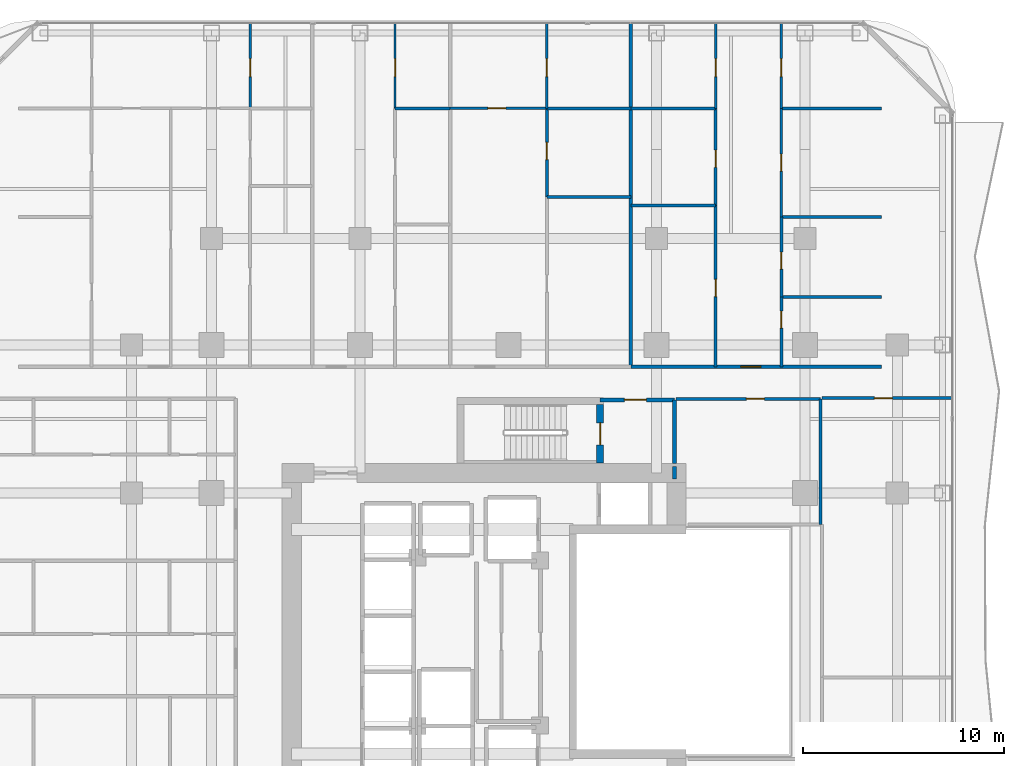
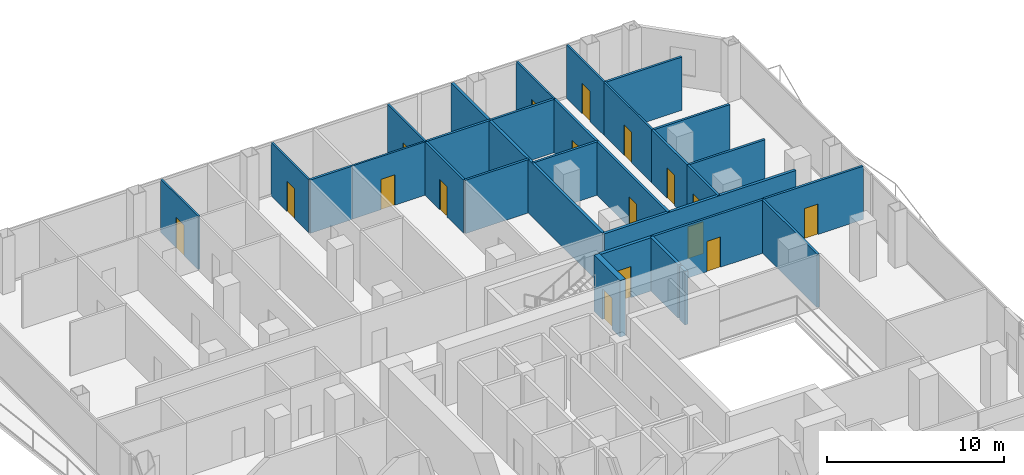
# One storey, part 23 of 29: 29 walls, 17 doors, 17 openings.
"""IFC4 building model written with IfcOpenShell, lengths in metres."""

import ifcopenshell
import ifcopenshell.guid

model = None  # the IFC model being written
_history = None  # IfcOwnerHistory: only IFC2X3 demands one
_inside = {}  # id of a spatial element -> (the spatial element, [elements in it])
_under = {}  # id of a project, library or spatial element -> (it, [spatial elements below it])
_declared = {}  # id of a project -> (the project, [libraries it declares])
_typed = {}  # id of a type object -> (the type object, [elements of that type])
_made_of = {}  # id of a material, layer set ... -> (it, [elements and type objects made of it])


def new_model(schema):
    """Start an empty IFC model of exactly this schema.

    Asked for "IFC4X3", IfcOpenShell would pick the latest addendum, in which some entities
    have other attributes; the version numbers below select the first issue.
    IFC2X3 requires an IfcOwnerHistory on every rooted entity: one is made here for all.
    """
    global model, _history
    if schema == "IFC4X3":
        model = ifcopenshell.file(schema_version=(4, 3, 0, 0))
    else:
        model = ifcopenshell.file(schema=schema)
    _inside.clear()
    _under.clear()
    _declared.clear()
    _typed.clear()
    _made_of.clear()
    _history = None
    if model.schema == "IFC2X3":
        org = make("IfcOrganization", Name="unknown")
        user = make(
            "IfcPersonAndOrganization",
            ThePerson=make("IfcPerson", FamilyName="unknown"),
            TheOrganization=org,
        )
        app = make(
            "IfcApplication",
            ApplicationDeveloper=org,
            Version="unknown",
            ApplicationFullName="unknown",
            ApplicationIdentifier="unknown",
        )
        _history = make(
            "IfcOwnerHistory",
            OwningUser=user,
            OwningApplication=app,
            ChangeAction="ADDED",
            CreationDate=0,
        )
    return model


def make(cls, **values):
    """One entity of the class cls with the attributes given. An attribute that is None is left unset."""
    return model.create_entity(
        cls, **{name: value for name, value in values.items() if value is not None}
    )


def rooted(cls, **values):
    """An entity with a GlobalId (a new one), such as an element, a storey or a relation."""
    return make(cls, GlobalId=ifcopenshell.guid.new(), OwnerHistory=_history, **values)


def si_unit(unit_type, name, prefix=None):
    """IfcSIUnit, for example si_unit("LENGTHUNIT", "METRE", prefix="MILLI")."""
    return make("IfcSIUnit", UnitType=unit_type, Prefix=prefix, Name=name)


def assignment(units):
    """IfcUnitAssignment: the units of a project."""
    return None if units is None else make("IfcUnitAssignment", Units=units)


def point(xyz):
    """IfcCartesianPoint."""
    return None if xyz is None else make("IfcCartesianPoint", Coordinates=xyz)


def direction(xyz):
    """IfcDirection."""
    return None if xyz is None else make("IfcDirection", DirectionRatios=xyz)


def frame(location, z_axis=None, x_axis=None):
    """IfcAxis2Placement3D, a coordinate frame: its origin and axes. An axis left out is left unset."""
    return make(
        "IfcAxis2Placement3D",
        Location=point(location),
        Axis=direction(z_axis),
        RefDirection=direction(x_axis),
    )


def frame_2d(location, x_axis=None):
    """IfcAxis2Placement2D, a coordinate frame in the plane: its origin and x axis."""
    return make(
        "IfcAxis2Placement2D", Location=point(location), RefDirection=direction(x_axis)
    )


def origin():
    """The frame at (0, 0, 0) with its axes left unset."""
    return frame((0.0, 0.0, 0.0))


def place(relative_to, where):
    """IfcLocalPlacement: puts the frame where relative to a parent placement (None: the world)."""
    return make(
        "IfcLocalPlacement", PlacementRelTo=relative_to, RelativePlacement=where
    )


def context(
    kind, dimensions, precision=None, world=None, true_north=None, identifier=None
):
    """IfcGeometricRepresentationContext, for example the 3D "Model" context."""
    return make(
        "IfcGeometricRepresentationContext",
        ContextIdentifier=identifier,
        ContextType=kind,
        CoordinateSpaceDimension=dimensions,
        Precision=precision,
        WorldCoordinateSystem=world,
        TrueNorth=true_north,
    )


def subcontext(parent, identifier, kind, view, scale=None):
    """IfcGeometricRepresentationSubContext, for example "Body" below "Model"."""
    return make(
        "IfcGeometricRepresentationSubContext",
        ContextIdentifier=identifier,
        ContextType=kind,
        ParentContext=parent,
        TargetScale=scale,
        TargetView=view,
    )


def project(units=None, contexts=None):
    """IfcProject with its units and contexts."""
    return rooted(
        "IfcProject",
        Name="project",
        RepresentationContexts=contexts,
        UnitsInContext=assignment(units),
    )


def spatial(cls, under=None, at=None, **own):
    """A site, building, storey or space (cls), placed at a placement, below another one or the project."""
    s = rooted(cls, ObjectPlacement=at, **own)
    if under is not None:
        _under.setdefault(under.id(), (under, []))[1].append(s)
    return s


def profile(cls, at=None, kind="AREA", **sizes):
    """A parametric profile (cls). Its sizes go by their IFC names, for example OverallWidth=200.0."""
    return make(cls, ProfileType=kind, Position=at, **sizes)


def rectangle(**sizes):
    """IfcRectangleProfileDef."""
    return profile("IfcRectangleProfileDef", **sizes)


def extrude(swept, where, along, depth):
    """IfcExtrudedAreaSolid: the profile swept, set in the frame where, extruded along a direction by depth."""
    return make(
        "IfcExtrudedAreaSolid",
        SweptArea=swept,
        Position=where,
        ExtrudedDirection=direction(along),
        Depth=depth,
    )


def shape(context_of_items, identifier, shape_type, items):
    """IfcShapeRepresentation: the items that make up one representation, for example the "Body"."""
    return make(
        "IfcShapeRepresentation",
        ContextOfItems=context_of_items,
        RepresentationIdentifier=identifier,
        RepresentationType=shape_type,
        Items=items,
    )


def material(Name=None, Category=None):
    """IfcMaterial."""
    return make("IfcMaterial", Name=Name, Category=Category)


def layer(
    of_material, thickness, ventilated=None, Name=None, Category=None, Priority=None
):
    """IfcMaterialLayer: one layer of a wall or slab, of a material (None: an air gap)."""
    return make(
        "IfcMaterialLayer",
        Material=of_material,
        LayerThickness=thickness,
        IsVentilated=ventilated,
        Name=Name,
        Category=Category,
        Priority=Priority,
    )


def layer_set(layers, Name=None):
    """IfcMaterialLayerSet."""
    return make("IfcMaterialLayerSet", MaterialLayers=layers, LayerSetName=Name)


def made_of(thing, what):
    """Note that an element or type object is made of a material, layer set ...; save() writes the relation."""
    if what is not None:
        _made_of.setdefault(what.id(), (what, []))[1].append(thing)
    return thing


def type_object(cls, material=None, **own):
    """A type object (cls), such as IfcWallType, which elements share."""
    return made_of(rooted(cls, **own), material)


def element(
    cls,
    number,
    at=None,
    inside=None,
    cuts=None,
    type_object=None,
    material=None,
    context=None,
    identifier="Body",
    shape_type=None,
    held_by="IfcProductDefinitionShape",
    body=None,
    shapes=None,
    **own,
):
    """One element of the class cls, such as IfcWall. Its Tag is "e" and its number.

    at: its placement. inside: the storey or other place that contains it. cuts: it is an
    opening in that element (IfcRelVoidsElement). A single representation is given by context,
    identifier, shape_type and body (its items); several are given by shapes. held_by: the class
    of the entity that holds the representations. save() writes the other relations.
    """
    e = rooted(cls, Tag="e%d" % number, ObjectPlacement=at, **own)
    if body is not None:
        shapes = [shape(context, identifier, shape_type, body)]
    if shapes is not None:
        e.Representation = make(held_by, Representations=shapes)
    if inside is not None:
        _inside.setdefault(inside.id(), (inside, []))[1].append(e)
    if cuts is not None:
        rooted(
            "IfcRelVoidsElement", RelatingBuildingElement=cuts, RelatedOpeningElement=e
        )
    if type_object is not None:
        _typed.setdefault(type_object.id(), (type_object, []))[1].append(e)
    return made_of(e, material)


def fill(opening, filler):
    """IfcRelFillsElement: the door or window that sits in an opening."""
    return rooted(
        "IfcRelFillsElement",
        RelatingOpeningElement=opening,
        RelatedBuildingElement=filler,
    )


def aggregate(whole, parts):
    """IfcRelAggregates: a whole, such as a stair, and the parts it consists of."""
    return rooted("IfcRelAggregates", RelatingObject=whole, RelatedObjects=parts)


def save(model, path):
    """Write the relations noted so far, then the file.

    IfcRelAggregates (storeys below a building ...), IfcRelContainedInSpatialStructure (elements
    in a storey), IfcRelDefinesByType, IfcRelAssociatesMaterial and IfcRelDeclares: one each for
    every whole, place, type object, material and project.
    """
    for whole, parts in _under.values():
        aggregate(whole, parts)
    for where, things in _inside.values():
        rooted(
            "IfcRelContainedInSpatialStructure",
            RelatedElements=things,
            RelatingStructure=where,
        )
    for kind, things in _typed.values():
        rooted("IfcRelDefinesByType", RelatedObjects=things, RelatingType=kind)
    for what, things in _made_of.values():
        rooted("IfcRelAssociatesMaterial", RelatedObjects=things, RelatingMaterial=what)
    for by, libraries in _declared.values():
        rooted("IfcRelDeclares", RelatingContext=by, RelatedDefinitions=libraries)
    model.write(path)


model = new_model("IFC4")

# Units and contexts
model_context = context("Model", 3, precision=1e-05, world=origin(), true_north=direction((0.0, 1.0)))
body_context = subcontext(model_context, "Body", "Model", "MODEL_VIEW")
ifc_project = project(units=[si_unit("LENGTHUNIT", "METRE"), si_unit("AREAUNIT", "SQUARE_METRE"), si_unit("VOLUMEUNIT", "CUBIC_METRE"), si_unit("PLANEANGLEUNIT", "RADIAN"), si_unit("MASSUNIT", "GRAM", prefix="KILO")], contexts=[model_context])

# Site, building, storey
site_placement = place(None, origin())
site = spatial("IfcSite", under=ifc_project, at=site_placement, CompositionType="ELEMENT")
building_placement = place(site_placement, origin())
building = spatial("IfcBuilding", under=site, at=building_placement, Name="Khorvyn Point Tower", CompositionType="ELEMENT")
storey_placement = place(building_placement, frame((0.0, 0.0, 85.199951171875)))
storey = spatial("IfcBuildingStorey", under=building, at=storey_placement, Name="L21", CompositionType="ELEMENT", Elevation=85.199951171875)

# Wall, opening, door
ifc_material_1 = material(Name="Double acoustic gypsum on twin steel stud", Category="steel")
ifc_layer_1 = layer(ifc_material_1, 0.179931640625)
ifc_layer_set_1 = layer_set([ifc_layer_1], Name="Acoustic Double-Stud Apartment Demising Wall 180")
wall_type_1 = type_object("IfcWallType", Name="Acoustic Double-Stud Apartment Demising Wall 180", PredefinedType="PARTITIONING", material=ifc_layer_set_1)
wall_1_placement = place(storey_placement, frame((6.116943359375, 13.699951171875, 0.0), z_axis=(0.0, 0.0, 1.0), x_axis=(1.0, 0.0, 0.0)))
wall_1 = element("IfcWall", 1, at=wall_1_placement, inside=storey, type_object=wall_type_1, Name="Wall", PredefinedType="PARTITIONING", context=body_context, shape_type="SweptSolid", body=[
    extrude(rectangle(XDim=12.503173828125, YDim=0.179931640625, at=frame_2d((6.25146484375, 0.0))), origin(), (0.0, 0.0, 1.0), 3.679931640625),
])
opening_1_placement = place(wall_1_placement, frame((5.485107421875, 0.0, 0.0)))
opening_1 = element("IfcOpeningElement", 2, at=opening_1_placement, cuts=wall_1, Name="Opening ID-AP60", PredefinedType="OPENING", context=body_context, shape_type="SweptSolid", body=[
    extrude(rectangle(XDim=1.0, YDim=2.199951171875, at=frame_2d((0.5, 1.10009765625))), frame((0.0, 0.099853515625, 0.0), z_axis=(0.0, -1.0, 0.0), x_axis=(1.0, 0.0, 0.0)), (0.0, 0.0, 1.0), 0.199951171875),
])
ifc_material_2 = material(Name="Engineered hardwood fire-rated leaf", Category="wood")
door_type_1 = type_object("IfcDoorType", Name="Acoustic Solid-Core Timber Apartment Entrance Door 1000x2200", OperationType="NOTDEFINED", PredefinedType="DOOR", material=ifc_material_2)
door_1_placement = place(opening_1_placement, origin())
door_1 = element("IfcDoor", 3, at=door_1_placement, inside=storey, type_object=door_type_1, Name="Door", OperationType="SINGLE_SWING_RIGHT", OverallHeight=2.199951171875, OverallWidth=1.0, PredefinedType="DOOR", context=body_context, shape_type="SweptSolid", body=[
    extrude(rectangle(XDim=1.0, YDim=2.199951171875, at=frame_2d((0.5, 1.10009765625))), frame((0.0, 0.02490234375, 0.0), z_axis=(0.0, -1.0, 0.0), x_axis=(1.0, 0.0, 0.0)), (0.0, 0.0, 1.0), 0.050048828125),
])
fill(opening_1, door_1)

# Wall
wall_2_placement = place(storey_placement, frame((6.116943359375, 13.699951171875, 0.0), z_axis=(0.0, 0.0, 1.0), x_axis=(0.0, 1.0, 0.0)))
element("IfcWall", 4, at=wall_2_placement, inside=storey, type_object=wall_type_1, Name="Wall", PredefinedType="PARTITIONING", context=body_context, shape_type="SweptSolid", body=[
    extrude(rectangle(XDim=17.130126953125, YDim=0.179931640625, at=frame_2d((8.56494140625, 0.0))), origin(), (0.0, 0.0, 1.0), 3.679931640625),
])

# Wall, opening, door
ifc_material_3 = material(Name="Concrete C40/50", Category="concrete")
ifc_layer_2 = layer(ifc_material_3, 0.199951171875)
ifc_layer_set_2 = layer_set([ifc_layer_2], Name="Concrete C40/50 Fire-Lobby Compartment Wall 200")
wall_type_2 = type_object("IfcWallType", Name="Concrete C40/50 Fire-Lobby Compartment Wall 200", PredefinedType="SOLIDWALL", material=ifc_layer_set_2)
wall_3_placement = place(storey_placement, frame((4.580078125, 12.06005859375, 0.0), z_axis=(0.0, 0.0, 1.0), x_axis=(1.0, 0.0, 0.0)))
wall_3 = element("IfcWall", 5, at=wall_3_placement, inside=storey, type_object=wall_type_2, Name="Wall", PredefinedType="SOLIDWALL", context=body_context, shape_type="SweptSolid", body=[
    extrude(rectangle(XDim=3.699951171875, YDim=0.199951171875, at=frame_2d((1.85009765625, 0.0))), origin(), (0.0, 0.0, 1.0), 3.679931640625),
])
opening_2_placement = place(wall_3_placement, frame((1.21240234375, 0.0, 0.0)))
opening_2 = element("IfcOpeningElement", 6, at=opening_2_placement, cuts=wall_3, Name="Opening ID-FL90", PredefinedType="OPENING", context=body_context, shape_type="SweptSolid", body=[
    extrude(rectangle(XDim=1.10009765625, YDim=2.14990234375, at=frame_2d((0.550048828125, 1.074951171875))), frame((0.0, 0.10986328125, 0.0), z_axis=(0.0, -1.0, 0.0), x_axis=(1.0, 0.0, 0.0)), (0.0, 0.0, 1.0), 0.219970703125),
])
ifc_material_4 = material(Name="Galvanised powder-coated steel", Category="steel")
door_type_2 = type_object("IfcDoorType", Name="Fire-Rated Steel Lobby and Stair Door 1100x2150", OperationType="NOTDEFINED", PredefinedType="DOOR", material=ifc_material_4)
door_2_placement = place(opening_2_placement, origin())
door_2 = element("IfcDoor", 7, at=door_2_placement, inside=storey, type_object=door_type_2, Name="Door", OperationType="SINGLE_SWING_RIGHT", OverallHeight=2.14990234375, OverallWidth=1.10009765625, PredefinedType="DOOR", context=body_context, shape_type="SweptSolid", body=[
    extrude(rectangle(XDim=1.10009765625, YDim=2.14990234375, at=frame_2d((0.550048828125, 1.074951171875))), frame((0.0, 0.02490234375, 0.0), z_axis=(0.0, -1.0, 0.0), x_axis=(1.0, 0.0, 0.0)), (0.0, 0.0, 1.0), 0.050048828125),
])
fill(opening_2, door_2)

# Walls
wall_4_placement = place(storey_placement, frame((8.280029296875, 8.875, 0.0), z_axis=(0.0, 0.0, 1.0), x_axis=(0.0, 1.0, 0.0)))
element("IfcWall", 8, at=wall_4_placement, inside=storey, type_object=wall_type_2, Name="Wall", PredefinedType="SOLIDWALL", context=body_context, shape_type="SweptSolid", body=[
    extrude(rectangle(XDim=3.18505859375, YDim=0.199951171875, at=frame_2d((1.592529296875, 0.0))), origin(), (0.0, 0.0, 1.0), 3.679931640625),
])
wall_5_placement = place(storey_placement, frame((8.280029296875, 8.10009765625, 0.0), z_axis=(0.0, 0.0, 1.0), x_axis=(0.0, 1.0, 0.0)))
element("IfcWall", 9, at=wall_5_placement, inside=storey, type_object=wall_type_2, Name="Wall", PredefinedType="SOLIDWALL", context=body_context, shape_type="SweptSolid", body=[
    extrude(rectangle(XDim=0.625, YDim=0.199951171875, at=frame_2d((0.3125, 0.0))), origin(), (0.0, 0.0, 1.0), 3.679931640625),
])

# Wall, opening, door
ifc_layer_3 = layer(ifc_material_3, 0.35009765625)
ifc_layer_set_3 = layer_set([ifc_layer_3], Name="Concrete C40/50 Stair Shaft Structural Wall 350")
wall_type_3 = type_object("IfcWallType", Name="Concrete C40/50 Stair Shaft Structural Wall 350", PredefinedType="SHEAR", material=ifc_layer_set_3)
wall_6_placement = place(storey_placement, frame((4.580078125, 11.824951171875, 0.0), z_axis=(0.0, 0.0, 1.0), x_axis=(0.0, -1.0, 0.0)))
wall_6 = element("IfcWall", 10, at=wall_6_placement, inside=storey, type_object=wall_type_3, Name="L21 ST-02 East Landing Door Wall", PredefinedType="SHEAR", context=body_context, shape_type="SweptSolid", body=[
    extrude(rectangle(XDim=2.925048828125, YDim=0.35009765625, at=frame_2d((1.46240234375, 0.0))), origin(), (0.0, 0.0, 1.0), 3.900146484375),
])
opening_3_placement = place(wall_6_placement, frame((0.91259765625, 0.0, 0.0)))
opening_3 = element("IfcOpeningElement", 11, at=opening_3_placement, cuts=wall_6, Name="Opening ID-FL90", PredefinedType="OPENING", context=body_context, shape_type="SweptSolid", body=[
    extrude(rectangle(XDim=1.10009765625, YDim=2.14990234375, at=frame_2d((0.550048828125, 1.074951171875))), frame((0.0, 0.18505859375, 0.0), z_axis=(0.0, -1.0, 0.0), x_axis=(1.0, 0.0, 0.0)), (0.0, 0.0, 1.0), 0.3701171875),
])
door_3_placement = place(opening_3_placement, origin())
door_3 = element("IfcDoor", 12, at=door_3_placement, inside=storey, type_object=door_type_2, Name="L21 ST-02 Smokeproof Landing Door", OperationType="SINGLE_SWING_RIGHT", OverallHeight=2.14990234375, OverallWidth=1.10009765625, PredefinedType="DOOR", context=body_context, shape_type="SweptSolid", body=[
    extrude(rectangle(XDim=1.10009765625, YDim=2.14990234375, at=frame_2d((0.550048828125, 1.074951171875))), frame((0.0, 0.02490234375, 0.0), z_axis=(0.0, -1.0, 0.0), x_axis=(1.0, 0.0, 0.0)), (0.0, 0.0, 1.0), 0.050048828125),
])
fill(opening_3, door_3)

ifc_material_5 = material(Name="Gypsum plasterboard on steel stud", Category="steel")
ifc_layer_4 = layer(ifc_material_5, 0.1201171875)
ifc_layer_set_4 = layer_set([ifc_layer_4], Name="Gypsum Acoustic Stud Room Partition Wall 120")
wall_type_4 = type_object("IfcWallType", Name="Gypsum Acoustic Stud Room Partition Wall 120", PredefinedType="PARTITIONING", material=ifc_layer_set_4)
wall_7_placement = place(storey_placement, frame((-12.873046875, 26.590087890625, 0.0), z_axis=(0.0, 0.0, 1.0), x_axis=(0.0, 1.0, 0.0)))
wall_7 = element("IfcWall", 13, at=wall_7_placement, inside=storey, type_object=wall_type_4, Name="Wall", PredefinedType="PARTITIONING", context=body_context, shape_type="SweptSolid", body=[
    extrude(rectangle(XDim=4.239990234375, YDim=0.1201171875, at=frame_2d((2.1201171875, 0.0))), origin(), (0.0, 0.0, 1.0), 3.679931640625),
])
opening_4_placement = place(wall_7_placement, frame((1.581298828125, 0.0, 0.0)))
opening_4 = element("IfcOpeningElement", 14, at=opening_4_placement, cuts=wall_7, Name="Opening ID-RM90", PredefinedType="OPENING", context=body_context, shape_type="SweptSolid", body=[
    extrude(rectangle(XDim=0.89990234375, YDim=2.10009765625, at=frame_2d((0.449951171875, 1.050048828125))), frame((0.0, 0.070068359375, 0.0), z_axis=(0.0, -1.0, 0.0), x_axis=(1.0, 0.0, 0.0)), (0.0, 0.0, 1.0), 0.14013671875),
])
ifc_material_6 = material(Name="Engineered oak veneer timber", Category="wood")
door_type_3 = type_object("IfcDoorType", Name="Flush Engineered Timber Room Door 900x2100", OperationType="NOTDEFINED", PredefinedType="DOOR", material=ifc_material_6)
door_4_placement = place(opening_4_placement, origin())
door_4 = element("IfcDoor", 15, at=door_4_placement, inside=storey, type_object=door_type_3, Name="Door", OperationType="SINGLE_SWING_RIGHT", OverallHeight=2.10009765625, OverallWidth=0.89990234375, PredefinedType="DOOR", context=body_context, shape_type="SweptSolid", body=[
    extrude(rectangle(XDim=0.89990234375, YDim=2.10009765625, at=frame_2d((0.449951171875, 1.050048828125))), frame((0.0, 0.02490234375, 0.0), z_axis=(0.0, -1.0, 0.0), x_axis=(1.0, 0.0, 0.0)), (0.0, 0.0, 1.0), 0.050048828125),
])
fill(opening_4, door_4)

wall_8_placement = place(storey_placement, frame((-5.64990234375, 26.590087890625, 0.0), z_axis=(0.0, 0.0, 1.0), x_axis=(0.0, 1.0, 0.0)))
wall_8 = element("IfcWall", 16, at=wall_8_placement, inside=storey, type_object=wall_type_4, Name="Wall", PredefinedType="PARTITIONING", context=body_context, shape_type="SweptSolid", body=[
    extrude(rectangle(XDim=4.239990234375, YDim=0.1201171875, at=frame_2d((2.1201171875, 0.0))), origin(), (0.0, 0.0, 1.0), 3.679931640625),
])
opening_5_placement = place(wall_8_placement, frame((1.581298828125, 0.0, 0.0)))
opening_5 = element("IfcOpeningElement", 17, at=opening_5_placement, cuts=wall_8, Name="Opening ID-RM90", PredefinedType="OPENING", context=body_context, shape_type="SweptSolid", body=[
    extrude(rectangle(XDim=0.89990234375, YDim=2.10009765625, at=frame_2d((0.449951171875, 1.050048828125))), frame((0.0, 0.070068359375, 0.0), z_axis=(0.0, -1.0, 0.0), x_axis=(1.0, 0.0, 0.0)), (0.0, 0.0, 1.0), 0.14013671875),
])
door_5_placement = place(opening_5_placement, origin())
door_5 = element("IfcDoor", 18, at=door_5_placement, inside=storey, type_object=door_type_3, Name="Door", OperationType="SINGLE_SWING_RIGHT", OverallHeight=2.10009765625, OverallWidth=0.89990234375, PredefinedType="DOOR", context=body_context, shape_type="SweptSolid", body=[
    extrude(rectangle(XDim=0.89990234375, YDim=2.10009765625, at=frame_2d((0.449951171875, 1.050048828125))), frame((0.0, 0.02490234375, 0.0), z_axis=(0.0, -1.0, 0.0), x_axis=(1.0, 0.0, 0.0)), (0.0, 0.0, 1.0), 0.050048828125),
])
fill(opening_5, door_5)

wall_9_placement = place(storey_placement, frame((-2.89990234375, 26.590087890625, 0.0), z_axis=(0.0, 0.0, 1.0), x_axis=(1.0, 0.0, 0.0)))
wall_9 = element("IfcWall", 19, at=wall_9_placement, inside=storey, type_object=wall_type_4, Name="Wall", PredefinedType="PARTITIONING", context=body_context, shape_type="SweptSolid", body=[
    extrude(rectangle(XDim=4.827880859375, YDim=0.1201171875, at=frame_2d((2.4140625, 0.0))), origin(), (0.0, 0.0, 1.0), 3.679931640625),
])
opening_6_placement = place(wall_9_placement, frame((1.878173828125, 0.0, 0.0)))
opening_6 = element("IfcOpeningElement", 20, at=opening_6_placement, cuts=wall_9, Name="Opening ID-RM90", PredefinedType="OPENING", context=body_context, shape_type="SweptSolid", body=[
    extrude(rectangle(XDim=0.89990234375, YDim=2.10009765625, at=frame_2d((0.449951171875, 1.050048828125))), frame((0.0, 0.070068359375, 0.0), z_axis=(0.0, -1.0, 0.0), x_axis=(1.0, 0.0, 0.0)), (0.0, 0.0, 1.0), 0.14013671875),
])
door_6_placement = place(opening_6_placement, origin())
door_6 = element("IfcDoor", 21, at=door_6_placement, inside=storey, type_object=door_type_3, Name="Door", OperationType="SINGLE_SWING_RIGHT", OverallHeight=2.10009765625, OverallWidth=0.89990234375, PredefinedType="DOOR", context=body_context, shape_type="SweptSolid", body=[
    extrude(rectangle(XDim=0.89990234375, YDim=2.10009765625, at=frame_2d((0.449951171875, 1.050048828125))), frame((0.0, 0.02490234375, 0.0), z_axis=(0.0, -1.0, 0.0), x_axis=(1.0, 0.0, 0.0)), (0.0, 0.0, 1.0), 0.050048828125),
])
fill(opening_6, door_6)

wall_10_placement = place(storey_placement, frame((1.927978515625, 26.590087890625, 0.0), z_axis=(0.0, 0.0, 1.0), x_axis=(0.0, 1.0, 0.0)))
wall_10 = element("IfcWall", 22, at=wall_10_placement, inside=storey, type_object=wall_type_4, Name="Wall", PredefinedType="PARTITIONING", context=body_context, shape_type="SweptSolid", body=[
    extrude(rectangle(XDim=4.239990234375, YDim=0.1201171875, at=frame_2d((2.1201171875, 0.0))), origin(), (0.0, 0.0, 1.0), 3.679931640625),
])
opening_7_placement = place(wall_10_placement, frame((1.581298828125, 0.0, 0.0)))
opening_7 = element("IfcOpeningElement", 23, at=opening_7_placement, cuts=wall_10, Name="Opening ID-RM90", PredefinedType="OPENING", context=body_context, shape_type="SweptSolid", body=[
    extrude(rectangle(XDim=0.89990234375, YDim=2.10009765625, at=frame_2d((0.449951171875, 1.050048828125))), frame((0.0, 0.070068359375, 0.0), z_axis=(0.0, -1.0, 0.0), x_axis=(1.0, 0.0, 0.0)), (0.0, 0.0, 1.0), 0.14013671875),
])
door_7_placement = place(opening_7_placement, origin())
door_7 = element("IfcDoor", 24, at=door_7_placement, inside=storey, type_object=door_type_3, Name="Door", OperationType="SINGLE_SWING_LEFT", OverallHeight=2.10009765625, OverallWidth=0.89990234375, PredefinedType="DOOR", context=body_context, shape_type="SweptSolid", body=[
    extrude(rectangle(XDim=0.89990234375, YDim=2.10009765625, at=frame_2d((0.449951171875, 1.050048828125))), frame((0.0, 0.02490234375, 0.0), z_axis=(0.0, -1.0, 0.0), x_axis=(1.0, 0.0, 0.0)), (0.0, 0.0, 1.0), 0.050048828125),
])
fill(opening_7, door_7)

wall_11_placement = place(storey_placement, frame((10.343017578125, 26.590087890625, 0.0), z_axis=(0.0, 0.0, 1.0), x_axis=(0.0, 1.0, 0.0)))
wall_11 = element("IfcWall", 25, at=wall_11_placement, inside=storey, type_object=wall_type_4, Name="Wall", PredefinedType="PARTITIONING", context=body_context, shape_type="SweptSolid", body=[
    extrude(rectangle(XDim=4.239990234375, YDim=0.1201171875, at=frame_2d((2.1201171875, 0.0))), origin(), (0.0, 0.0, 1.0), 3.679931640625),
])
opening_8_placement = place(wall_11_placement, frame((1.581298828125, 0.0, 0.0)))
opening_8 = element("IfcOpeningElement", 26, at=opening_8_placement, cuts=wall_11, Name="Opening ID-RM90", PredefinedType="OPENING", context=body_context, shape_type="SweptSolid", body=[
    extrude(rectangle(XDim=0.89990234375, YDim=2.10009765625, at=frame_2d((0.449951171875, 1.050048828125))), frame((0.0, 0.070068359375, 0.0), z_axis=(0.0, -1.0, 0.0), x_axis=(1.0, 0.0, 0.0)), (0.0, 0.0, 1.0), 0.14013671875),
])
door_8_placement = place(opening_8_placement, origin())
door_8 = element("IfcDoor", 27, at=door_8_placement, inside=storey, type_object=door_type_3, Name="Door", OperationType="SINGLE_SWING_LEFT", OverallHeight=2.10009765625, OverallWidth=0.89990234375, PredefinedType="DOOR", context=body_context, shape_type="SweptSolid", body=[
    extrude(rectangle(XDim=0.89990234375, YDim=2.10009765625, at=frame_2d((0.449951171875, 1.050048828125))), frame((0.0, 0.02490234375, 0.0), z_axis=(0.0, -1.0, 0.0), x_axis=(1.0, 0.0, 0.0)), (0.0, 0.0, 1.0), 0.050048828125),
])
fill(opening_8, door_8)

wall_12_placement = place(storey_placement, frame((13.618896484375, 21.176025390625, 0.0), z_axis=(0.0, 0.0, 1.0), x_axis=(0.0, 1.0, 0.0)))
wall_12 = element("IfcWall", 28, at=wall_12_placement, inside=storey, type_object=wall_type_4, Name="Wall", PredefinedType="PARTITIONING", context=body_context, shape_type="SweptSolid", body=[
    extrude(rectangle(XDim=5.4140625, YDim=0.1201171875, at=frame_2d((2.70703125, 0.0))), origin(), (0.0, 0.0, 1.0), 3.679931640625),
])
opening_9_placement = place(wall_12_placement, frame((2.281982421875, 0.0, 0.0)))
opening_9 = element("IfcOpeningElement", 29, at=opening_9_placement, cuts=wall_12, Name="Opening ID-WC85", PredefinedType="OPENING", context=body_context, shape_type="SweptSolid", body=[
    extrude(rectangle(XDim=0.85009765625, YDim=2.10009765625, at=frame_2d((0.425048828125, 1.050048828125))), frame((0.0, 0.070068359375, 0.0), z_axis=(0.0, -1.0, 0.0), x_axis=(1.0, 0.0, 0.0)), (0.0, 0.0, 1.0), 0.14013671875),
])
ifc_material_7 = material(Name="High-pressure laminate on moisture-resistant core", Category="wood")
door_type_4 = type_object("IfcDoorType", Name="Moisture-Resistant Accessible Washroom Door 850x2100", OperationType="NOTDEFINED", PredefinedType="DOOR", material=ifc_material_7)
door_9_placement = place(opening_9_placement, origin())
door_9 = element("IfcDoor", 30, at=door_9_placement, inside=storey, type_object=door_type_4, Name="Door", OperationType="SINGLE_SWING_RIGHT", OverallHeight=2.10009765625, OverallWidth=0.85009765625, PredefinedType="DOOR", context=body_context, shape_type="SweptSolid", body=[
    extrude(rectangle(XDim=0.85009765625, YDim=2.10009765625, at=frame_2d((0.425048828125, 1.050048828125))), frame((0.0, 0.02490234375, 0.0), z_axis=(0.0, -1.0, 0.0), x_axis=(1.0, 0.0, 0.0)), (0.0, 0.0, 1.0), 0.050048828125),
])
fill(opening_9, door_9)

wall_13_placement = place(storey_placement, frame((13.618896484375, 26.590087890625, 0.0), z_axis=(0.0, 0.0, 1.0), x_axis=(0.0, 1.0, 0.0)))
wall_13 = element("IfcWall", 31, at=wall_13_placement, inside=storey, type_object=wall_type_4, Name="Wall", PredefinedType="PARTITIONING", context=body_context, shape_type="SweptSolid", body=[
    extrude(rectangle(XDim=4.239990234375, YDim=0.1201171875, at=frame_2d((2.1201171875, 0.0))), origin(), (0.0, 0.0, 1.0), 3.679931640625),
])
opening_10_placement = place(wall_13_placement, frame((1.581298828125, 0.0, 0.0)))
opening_10 = element("IfcOpeningElement", 32, at=opening_10_placement, cuts=wall_13, Name="Opening ID-RM90", PredefinedType="OPENING", context=body_context, shape_type="SweptSolid", body=[
    extrude(rectangle(XDim=0.89990234375, YDim=2.10009765625, at=frame_2d((0.449951171875, 1.050048828125))), frame((0.0, 0.070068359375, 0.0), z_axis=(0.0, -1.0, 0.0), x_axis=(1.0, 0.0, 0.0)), (0.0, 0.0, 1.0), 0.14013671875),
])
door_10_placement = place(opening_10_placement, origin())
door_10 = element("IfcDoor", 33, at=door_10_placement, inside=storey, type_object=door_type_3, Name="Door", OperationType="SINGLE_SWING_LEFT", OverallHeight=2.10009765625, OverallWidth=0.89990234375, PredefinedType="DOOR", context=body_context, shape_type="SweptSolid", body=[
    extrude(rectangle(XDim=0.89990234375, YDim=2.10009765625, at=frame_2d((0.449951171875, 1.050048828125))), frame((0.0, 0.02490234375, 0.0), z_axis=(0.0, -1.0, 0.0), x_axis=(1.0, 0.0, 0.0)), (0.0, 0.0, 1.0), 0.050048828125),
])
fill(opening_10, door_10)

ifc_material_8 = material(Name="Moisture-resistant gypsum and cement board", Category="gypsum")
ifc_layer_5 = layer(ifc_material_8, 0.14990234375)
ifc_layer_set_5 = layer_set([ifc_layer_5], Name="Moisture-Resistant Wet-Room Partition Wall 150")
wall_type_5 = type_object("IfcWallType", Name="Moisture-Resistant Wet-Room Partition Wall 150", PredefinedType="PARTITIONING", material=ifc_layer_set_5)
wall_14_placement = place(storey_placement, frame((8.360107421875, 12.10009765625, 0.0), z_axis=(0.0, 0.0, 1.0), x_axis=(1.0, 0.0, 0.0)))
wall_14 = element("IfcWall", 34, at=wall_14_placement, inside=storey, type_object=wall_type_5, Name="Wall", PredefinedType="PARTITIONING", context=body_context, shape_type="SweptSolid", body=[
    extrude(rectangle(XDim=7.219970703125, YDim=0.14990234375, at=frame_2d((3.60986328125, 0.0))), origin(), (0.0, 0.0, 1.0), 3.679931640625),
])
opening_11_placement = place(wall_14_placement, frame((3.512939453125, 0.0, 0.0)))
opening_11 = element("IfcOpeningElement", 35, at=opening_11_placement, cuts=wall_14, Name="Opening ID-RM90", PredefinedType="OPENING", context=body_context, shape_type="SweptSolid", body=[
    extrude(rectangle(XDim=0.89990234375, YDim=2.10009765625, at=frame_2d((0.449951171875, 1.050048828125))), frame((0.0, 0.0849609375, 0.0), z_axis=(0.0, -1.0, 0.0), x_axis=(1.0, 0.0, 0.0)), (0.0, 0.0, 1.0), 0.169921875),
])
door_11_placement = place(opening_11_placement, origin())
door_11 = element("IfcDoor", 36, at=door_11_placement, inside=storey, type_object=door_type_3, Name="Door", OperationType="SINGLE_SWING_RIGHT", OverallHeight=2.10009765625, OverallWidth=0.89990234375, PredefinedType="DOOR", context=body_context, shape_type="SweptSolid", body=[
    extrude(rectangle(XDim=0.89990234375, YDim=2.10009765625, at=frame_2d((0.449951171875, 1.050048828125))), frame((0.0, 0.02490234375, 0.0), z_axis=(0.0, -1.0, 0.0), x_axis=(1.0, 0.0, 0.0)), (0.0, 0.0, 1.0), 0.050048828125),
])
fill(opening_11, door_11)

wall_15_placement = place(storey_placement, frame((1.927978515625, 22.174072265625, 0.0), z_axis=(0.0, 0.0, 1.0), x_axis=(0.0, 1.0, 0.0)))
wall_15 = element("IfcWall", 37, at=wall_15_placement, inside=storey, type_object=wall_type_5, Name="Wall", PredefinedType="PARTITIONING", context=body_context, shape_type="SweptSolid", body=[
    extrude(rectangle(XDim=4.416015625, YDim=0.14990234375, at=frame_2d((2.2080078125, 0.0))), origin(), (0.0, 0.0, 1.0), 3.679931640625),
])
opening_12_placement = place(wall_15_placement, frame((1.868408203125, 0.0, 0.0)))
opening_12 = element("IfcOpeningElement", 38, at=opening_12_placement, cuts=wall_15, Name="Opening ID-WC85", PredefinedType="OPENING", context=body_context, shape_type="SweptSolid", body=[
    extrude(rectangle(XDim=0.85009765625, YDim=2.10009765625, at=frame_2d((0.425048828125, 1.050048828125))), frame((0.0, 0.0849609375, 0.0), z_axis=(0.0, -1.0, 0.0), x_axis=(1.0, 0.0, 0.0)), (0.0, 0.0, 1.0), 0.169921875),
])
door_12_placement = place(opening_12_placement, origin())
door_12 = element("IfcDoor", 39, at=door_12_placement, inside=storey, type_object=door_type_4, Name="Door", OperationType="SINGLE_SWING_RIGHT", OverallHeight=2.10009765625, OverallWidth=0.85009765625, PredefinedType="DOOR", context=body_context, shape_type="SweptSolid", body=[
    extrude(rectangle(XDim=0.85009765625, YDim=2.10009765625, at=frame_2d((0.425048828125, 1.050048828125))), frame((0.0, 0.02490234375, 0.0), z_axis=(0.0, -1.0, 0.0), x_axis=(1.0, 0.0, 0.0)), (0.0, 0.0, 1.0), 0.050048828125),
])
fill(opening_12, door_12)

wall_16_placement = place(storey_placement, frame((10.343017578125, 13.699951171875, 0.0), z_axis=(0.0, 0.0, 1.0), x_axis=(0.0, 1.0, 0.0)))
wall_16 = element("IfcWall", 40, at=wall_16_placement, inside=storey, type_object=wall_type_5, Name="Wall", PredefinedType="PARTITIONING", context=body_context, shape_type="SweptSolid", body=[
    extrude(rectangle(XDim=8.045166015625, YDim=0.14990234375, at=frame_2d((4.0224609375, 0.0))), origin(), (0.0, 0.0, 1.0), 3.679931640625),
])
opening_13_placement = place(wall_16_placement, frame((3.509521484375, 0.0, 0.0)))
opening_13 = element("IfcOpeningElement", 41, at=opening_13_placement, cuts=wall_16, Name="Opening ID-WC85", PredefinedType="OPENING", context=body_context, shape_type="SweptSolid", body=[
    extrude(rectangle(XDim=0.85009765625, YDim=2.10009765625, at=frame_2d((0.425048828125, 1.050048828125))), frame((0.0, 0.0849609375, 0.0), z_axis=(0.0, -1.0, 0.0), x_axis=(1.0, 0.0, 0.0)), (0.0, 0.0, 1.0), 0.169921875),
])
door_13_placement = place(opening_13_placement, origin())
door_13 = element("IfcDoor", 42, at=door_13_placement, inside=storey, type_object=door_type_4, Name="Door", OperationType="SINGLE_SWING_LEFT", OverallHeight=2.10009765625, OverallWidth=0.85009765625, PredefinedType="DOOR", context=body_context, shape_type="SweptSolid", body=[
    extrude(rectangle(XDim=0.85009765625, YDim=2.10009765625, at=frame_2d((0.425048828125, 1.050048828125))), frame((0.0, 0.02490234375, 0.0), z_axis=(0.0, -1.0, 0.0), x_axis=(1.0, 0.0, 0.0)), (0.0, 0.0, 1.0), 0.050048828125),
])
fill(opening_13, door_13)

wall_17_placement = place(storey_placement, frame((10.343017578125, 21.7451171875, 0.0), z_axis=(0.0, 0.0, 1.0), x_axis=(0.0, 1.0, 0.0)))
wall_17 = element("IfcWall", 43, at=wall_17_placement, inside=storey, type_object=wall_type_5, Name="Wall", PredefinedType="PARTITIONING", context=body_context, shape_type="SweptSolid", body=[
    extrude(rectangle(XDim=4.844970703125, YDim=0.14990234375, at=frame_2d((2.42236328125, 0.0))), origin(), (0.0, 0.0, 1.0), 3.679931640625),
])
opening_14_placement = place(wall_17_placement, frame((1.909912109375, 0.0, 0.0)))
opening_14 = element("IfcOpeningElement", 44, at=opening_14_placement, cuts=wall_17, Name="Opening ID-WC85", PredefinedType="OPENING", context=body_context, shape_type="SweptSolid", body=[
    extrude(rectangle(XDim=0.85009765625, YDim=2.10009765625, at=frame_2d((0.425048828125, 1.050048828125))), frame((0.0, 0.0849609375, 0.0), z_axis=(0.0, -1.0, 0.0), x_axis=(1.0, 0.0, 0.0)), (0.0, 0.0, 1.0), 0.169921875),
])
door_14_placement = place(opening_14_placement, origin())
door_14 = element("IfcDoor", 45, at=door_14_placement, inside=storey, type_object=door_type_4, Name="Door", OperationType="SINGLE_SWING_RIGHT", OverallHeight=2.10009765625, OverallWidth=0.85009765625, PredefinedType="DOOR", context=body_context, shape_type="SweptSolid", body=[
    extrude(rectangle(XDim=0.85009765625, YDim=2.10009765625, at=frame_2d((0.425048828125, 1.050048828125))), frame((0.0, 0.02490234375, 0.0), z_axis=(0.0, -1.0, 0.0), x_axis=(1.0, 0.0, 0.0)), (0.0, 0.0, 1.0), 0.050048828125),
])
fill(opening_14, door_14)

wall_18_placement = place(storey_placement, frame((13.618896484375, 13.699951171875, 0.0), z_axis=(0.0, 0.0, 1.0), x_axis=(0.0, 1.0, 0.0)))
wall_18 = element("IfcWall", 46, at=wall_18_placement, inside=storey, type_object=wall_type_5, Name="Wall", PredefinedType="PARTITIONING", context=body_context, shape_type="SweptSolid", body=[
    extrude(rectangle(XDim=3.47998046875, YDim=0.14990234375, at=frame_2d((1.739990234375, 0.0))), origin(), (0.0, 0.0, 1.0), 3.679931640625),
])
opening_15_placement = place(wall_18_placement, frame((1.93701171875, 0.0, 0.0)))
opening_15 = element("IfcOpeningElement", 47, at=opening_15_placement, cuts=wall_18, Name="Opening ID-WC85", PredefinedType="OPENING", context=body_context, shape_type="SweptSolid", body=[
    extrude(rectangle(XDim=0.85009765625, YDim=2.10009765625, at=frame_2d((0.425048828125, 1.050048828125))), frame((0.0, 0.0849609375, 0.0), z_axis=(0.0, -1.0, 0.0), x_axis=(1.0, 0.0, 0.0)), (0.0, 0.0, 1.0), 0.169921875),
])
door_15_placement = place(opening_15_placement, origin())
door_15 = element("IfcDoor", 48, at=door_15_placement, inside=storey, type_object=door_type_4, Name="Door", OperationType="SINGLE_SWING_RIGHT", OverallHeight=2.10009765625, OverallWidth=0.85009765625, PredefinedType="DOOR", context=body_context, shape_type="SweptSolid", body=[
    extrude(rectangle(XDim=0.85009765625, YDim=2.10009765625, at=frame_2d((0.425048828125, 1.050048828125))), frame((0.0, 0.02490234375, 0.0), z_axis=(0.0, -1.0, 0.0), x_axis=(1.0, 0.0, 0.0)), (0.0, 0.0, 1.0), 0.050048828125),
])
fill(opening_15, door_15)

wall_19_placement = place(storey_placement, frame((13.618896484375, 17.179931640625, 0.0), z_axis=(0.0, 0.0, 1.0), x_axis=(0.0, 1.0, 0.0)))
wall_19 = element("IfcWall", 49, at=wall_19_placement, inside=storey, type_object=wall_type_5, Name="Wall", PredefinedType="PARTITIONING", context=body_context, shape_type="SweptSolid", body=[
    extrude(rectangle(XDim=3.99609375, YDim=0.14990234375, at=frame_2d((1.998046875, 0.0))), origin(), (0.0, 0.0, 1.0), 3.679931640625),
])
opening_16_placement = place(wall_19_placement, frame((1.396484375, 0.0, 0.0)))
opening_16 = element("IfcOpeningElement", 50, at=opening_16_placement, cuts=wall_19, Name="Opening ID-WC85", PredefinedType="OPENING", context=body_context, shape_type="SweptSolid", body=[
    extrude(rectangle(XDim=0.85009765625, YDim=2.10009765625, at=frame_2d((0.425048828125, 1.050048828125))), frame((0.0, 0.0849609375, 0.0), z_axis=(0.0, -1.0, 0.0), x_axis=(1.0, 0.0, 0.0)), (0.0, 0.0, 1.0), 0.169921875),
])
door_16_placement = place(opening_16_placement, origin())
door_16 = element("IfcDoor", 51, at=door_16_placement, inside=storey, type_object=door_type_4, Name="Door", OperationType="SINGLE_SWING_LEFT", OverallHeight=2.10009765625, OverallWidth=0.85009765625, PredefinedType="DOOR", context=body_context, shape_type="SweptSolid", body=[
    extrude(rectangle(XDim=0.85009765625, YDim=2.10009765625, at=frame_2d((0.425048828125, 1.050048828125))), frame((0.0, 0.02490234375, 0.0), z_axis=(0.0, -1.0, 0.0), x_axis=(1.0, 0.0, 0.0)), (0.0, 0.0, 1.0), 0.050048828125),
])
fill(opening_16, door_16)

wall_20_placement = place(storey_placement, frame((15.64990234375, 12.139892578125, 0.0), z_axis=(0.0, 0.0, 1.0), x_axis=(1.0, 0.0, 0.0)))
wall_20 = element("IfcWall", 52, at=wall_20_placement, inside=storey, type_object=wall_type_5, Name="Wall", PredefinedType="PARTITIONING", context=body_context, shape_type="SweptSolid", body=[
    extrude(rectangle(XDim=6.47021484375, YDim=0.14990234375, at=frame_2d((3.235107421875, 0.0))), origin(), (0.0, 0.0, 1.0), 3.679931640625),
])
opening_17_placement = place(wall_20_placement, frame((2.610107421875, 0.0, 0.0)))
opening_17 = element("IfcOpeningElement", 53, at=opening_17_placement, cuts=wall_20, Name="Opening ID-RM90", PredefinedType="OPENING", context=body_context, shape_type="SweptSolid", body=[
    extrude(rectangle(XDim=0.89990234375, YDim=2.10009765625, at=frame_2d((0.449951171875, 1.050048828125))), frame((0.0, 0.0849609375, 0.0), z_axis=(0.0, -1.0, 0.0), x_axis=(1.0, 0.0, 0.0)), (0.0, 0.0, 1.0), 0.169921875),
])
door_17_placement = place(opening_17_placement, origin())
door_17 = element("IfcDoor", 54, at=door_17_placement, inside=storey, type_object=door_type_3, Name="Door", OperationType="SINGLE_SWING_RIGHT", OverallHeight=2.10009765625, OverallWidth=0.89990234375, PredefinedType="DOOR", context=body_context, shape_type="SweptSolid", body=[
    extrude(rectangle(XDim=0.89990234375, YDim=2.10009765625, at=frame_2d((0.449951171875, 1.050048828125))), frame((0.0, 0.02490234375, 0.0), z_axis=(0.0, -1.0, 0.0), x_axis=(1.0, 0.0, 0.0)), (0.0, 0.0, 1.0), 0.050048828125),
])
fill(opening_17, door_17)

# Walls
wall_21_placement = place(storey_placement, frame((15.580078125, 5.85009765625, 0.0), z_axis=(0.0, 0.0, 1.0), x_axis=(0.0, 1.0, 0.0)))
element("IfcWall", 55, at=wall_21_placement, inside=storey, type_object=wall_type_5, Name="Wall", PredefinedType="PARTITIONING", context=body_context, shape_type="SweptSolid", body=[
    extrude(rectangle(XDim=6.25, YDim=0.14990234375, at=frame_2d((3.125, 0.0))), origin(), (0.0, 0.0, 1.0), 3.679931640625),
])
wall_22_placement = place(storey_placement, frame((-5.64990234375, 26.590087890625, 0.0), z_axis=(0.0, 0.0, 1.0), x_axis=(1.0, 0.0, 0.0)))
element("IfcWall", 56, at=wall_22_placement, inside=storey, type_object=wall_type_5, Name="Wall", PredefinedType="PARTITIONING", context=body_context, shape_type="SweptSolid", body=[
    extrude(rectangle(XDim=2.75, YDim=0.14990234375, at=frame_2d((1.375, 0.0))), origin(), (0.0, 0.0, 1.0), 3.679931640625),
])
for number, where, z_axis, x_axis, name in (
    (57, (1.927978515625, 22.174072265625, 0.0), (0.0, 0.0, 1.0), (1.0, 0.0, 0.0), "Wall"),
    (58, (1.927978515625, 26.590087890625, 0.0), (0.0, 0.0, 1.0), (1.0, 0.0, 0.0), "Wall"),
):
    element("IfcWall", number, at=place(storey_placement, frame(where, z_axis=z_axis, x_axis=x_axis)), inside=storey, type_object=wall_type_5, Name=name, PredefinedType="PARTITIONING", context=body_context, shape_type="SweptSolid", body=[
        extrude(rectangle(XDim=4.18896484375, YDim=0.14990234375, at=frame_2d((2.094482421875, 0.0))), origin(), (0.0, 0.0, 1.0), 3.679931640625),
    ])
for number, where, z_axis, x_axis, name in (
    (59, (6.116943359375, 21.7451171875, 0.0), (0.0, 0.0, 1.0), (1.0, 0.0, 0.0), "Wall"),
    (60, (6.116943359375, 26.590087890625, 0.0), (0.0, 0.0, 1.0), (1.0, 0.0, 0.0), "Wall"),
):
    element("IfcWall", number, at=place(storey_placement, frame(where, z_axis=z_axis, x_axis=x_axis)), inside=storey, type_object=wall_type_5, Name=name, PredefinedType="PARTITIONING", context=body_context, shape_type="SweptSolid", body=[
        extrude(rectangle(XDim=4.22607421875, YDim=0.14990234375, at=frame_2d((2.113037109375, 0.0))), origin(), (0.0, 0.0, 1.0), 3.679931640625),
    ])
for number, where, z_axis, x_axis, name in (
    (61, (13.618896484375, 17.179931640625, 0.0), (0.0, 0.0, 1.0), (1.0, 0.0, 0.0), "Wall"),
    (62, (13.618896484375, 21.176025390625, 0.0), (0.0, 0.0, 1.0), (1.0, 0.0, 0.0), "Wall"),
    (63, (13.618896484375, 26.590087890625, 0.0), (0.0, 0.0, 1.0), (1.0, 0.0, 0.0), "Wall"),
):
    element("IfcWall", number, at=place(storey_placement, frame(where, z_axis=z_axis, x_axis=x_axis)), inside=storey, type_object=wall_type_5, Name=name, PredefinedType="PARTITIONING", context=body_context, shape_type="SweptSolid", body=[
        extrude(rectangle(XDim=5.001220703125, YDim=0.14990234375, at=frame_2d((2.50048828125, 0.0))), origin(), (0.0, 0.0, 1.0), 3.679931640625),
    ])

save(model, "model.ifc")
